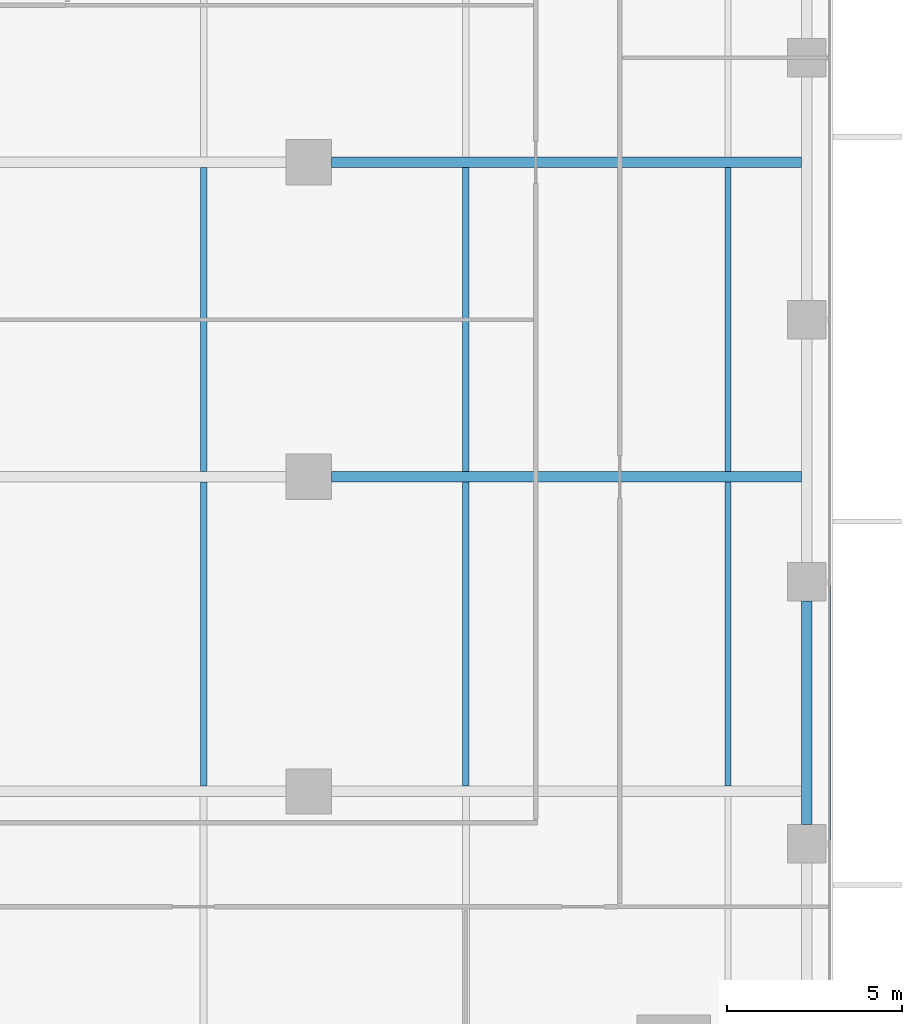
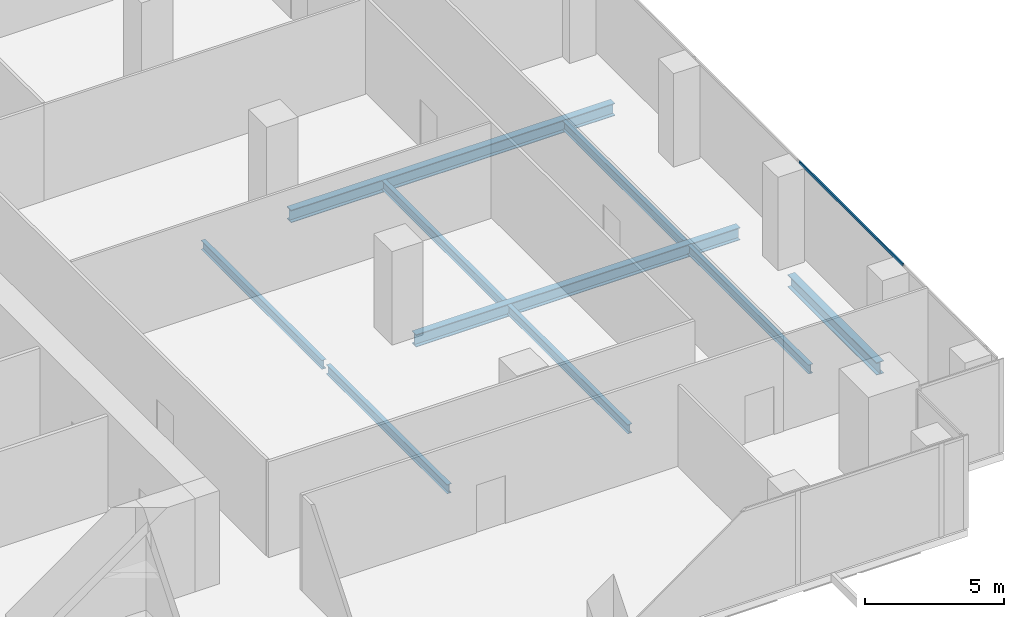
# One storey, part 12 of 34: 9 beams, 1 member, 1 element without a shape of its own.
"""IFC4 building model written with IfcOpenShell, lengths in metres."""

from ifc_helpers import new_model, si_unit, direction, frame, origin, origin_2d, place, context, subcontext, project, spatial, hollow_rectangle, i_section, extrude, source, transform, mapped, material, material_profile, profile_set, type_object, element, aggregate, save


model = new_model("IFC4")

# Units and contexts
model_context = context("Model", 3, precision=1e-05, world=origin(), true_north=direction((0.0, 1.0)))
body_context = subcontext(model_context, "Body", "Model", "MODEL_VIEW")
ifc_project = project(units=[si_unit("LENGTHUNIT", "METRE"), si_unit("AREAUNIT", "SQUARE_METRE"), si_unit("VOLUMEUNIT", "CUBIC_METRE"), si_unit("PLANEANGLEUNIT", "RADIAN"), si_unit("MASSUNIT", "GRAM", prefix="KILO")], contexts=[model_context])

# Site, building, storey
site_placement = place(None, origin())
site = spatial("IfcSite", under=ifc_project, at=site_placement, CompositionType="ELEMENT")
building_placement = place(site_placement, origin())
building = spatial("IfcBuilding", under=site, at=building_placement, Name="Khomas Fold Tower", CompositionType="ELEMENT")
storey_placement = place(building_placement, frame((0.0, 0.0, 123.5)))
storey = spatial("IfcBuildingStorey", under=building, at=storey_placement, Name="L26", CompositionType="ELEMENT", Elevation=123.5)

# Beams
ifc_material_1 = material(Name="Steel S355", Category="steel")
ifc_material_profile_1 = material_profile(ifc_material_1, i_section(OverallWidth=0.179931640625, OverallDepth=0.39990234375, WebThickness=0.008544921875, FlangeThickness=0.013427734375, at=origin_2d()), Name="IPE 400")
ifc_profile_set_1 = profile_set([ifc_material_profile_1], Name="Steel S355")
beam_type_1 = type_object("IfcBeamType", Name="IPE 400 beam JB3", PredefinedType="BEAM", material=ifc_profile_set_1)
shared_shape_1 = source(origin(), body_context, "Body", "SweptSolid", [
    extrude(i_section(OverallWidth=0.179931640625, OverallDepth=0.39990234375, WebThickness=0.008544921875, FlangeThickness=0.013427734375, at=origin_2d()), origin(), (0.0, 0.0, 1.0), 8.7001953125),
])
for number, where, z_axis, x_axis, name in (
    (1, (34.5, 13.64990234375, -0.5), (0.0, 1.0, 0.0), (-1.0, 0.0, 0.0), "JB3"),
    (2, (34.5, 22.64990234375, -0.5), (0.0, 1.0, 0.0), (-1.0, 0.0, 0.0), "JB3"),
    (3, (42.0, 13.64990234375, -0.5), (0.0, 1.0, 0.0), (-1.0, 0.0, 0.0), "JB3"),
    (4, (42.0, 22.64990234375, -0.5), (0.0, 1.0, 0.0), (-1.0, 0.0, 0.0), "JB3"),
    (5, (49.5, 13.64990234375, -0.5), (0.0, 1.0, 0.0), (-1.0, 0.0, 0.0), "JB3"),
    (6, (49.5, 22.64990234375, -0.5), (0.0, 1.0, 0.0), (-1.0, 0.0, 0.0), "JB3"),
):
    element("IfcBeam", number, at=place(storey_placement, frame(where, z_axis=z_axis, x_axis=x_axis)), inside=storey, type_object=beam_type_1, Name=name, PredefinedType="BEAM", context=body_context, shape_type="MappedRepresentation", body=[
        mapped(shared_shape_1, transform((0.0, 0.0, 0.0))),
    ])
ifc_material_2 = material(Name="Steel S355", Category="steel")
ifc_material_profile_2 = material_profile(ifc_material_2, i_section(OverallWidth=0.300048828125, OverallDepth=0.550048828125, WebThickness=0.014892578125, FlangeThickness=0.029052734375, at=origin_2d()), Name="HE 550 B")
ifc_profile_set_2 = profile_set([ifc_material_profile_2], Name="Steel S355")
beam_type_2 = type_object("IfcBeamType", Name="HE 550 B spandrel SB2", PredefinedType="SPANDREL", material=ifc_profile_set_2)
shared_shape_2 = source(origin(), body_context, "Body", "SweptSolid", [
    extrude(i_section(OverallWidth=0.300048828125, OverallDepth=0.550048828125, WebThickness=0.014892578125, FlangeThickness=0.029052734375, at=origin_2d()), origin(), (0.0, 0.0, 1.0), 6.39990234375),
])
beam_placement = place(storey_placement, frame((51.75, 12.550048828125, -0.574951171875), z_axis=(0.0, 1.0, 0.0), x_axis=(-1.0, 0.0, 0.0)))
element("IfcBeam", 7, at=beam_placement, inside=storey, type_object=beam_type_2, Name="SB2", PredefinedType="SPANDREL", context=body_context, shape_type="MappedRepresentation", body=[
    mapped(shared_shape_2, transform((0.0, 0.0, 0.0))),
])
ifc_material_3 = material(Name="Steel S355", Category="steel")
ifc_material_profile_3 = material_profile(ifc_material_3, i_section(OverallWidth=0.300048828125, OverallDepth=0.550048828125, WebThickness=0.014892578125, FlangeThickness=0.029052734375, at=origin_2d()), Name="HE 550 B")
ifc_profile_set_3 = profile_set([ifc_material_profile_3], Name="Steel S355")
beam_type_3 = type_object("IfcBeamType", Name="HE 550 B beam GB4", PredefinedType="BEAM", material=ifc_profile_set_3)
shared_shape_3 = source(origin(), body_context, "Body", "SweptSolid", [
    extrude(i_section(OverallWidth=0.300048828125, OverallDepth=0.550048828125, WebThickness=0.014892578125, FlangeThickness=0.029052734375, at=origin_2d()), origin(), (0.0, 0.0, 1.0), 13.4501953125),
])
for number, where, z_axis, x_axis, name in (
    (8, (38.14990234375, 22.5, -0.574951171875), (1.0, 0.0, 0.0), (0.0, 1.0, 0.0), "GB4"),
    (9, (38.14990234375, 31.5, -0.574951171875), (1.0, 0.0, 0.0), (0.0, 1.0, 0.0), "GB4"),
):
    element("IfcBeam", number, at=place(storey_placement, frame(where, z_axis=z_axis, x_axis=x_axis)), inside=storey, type_object=beam_type_3, Name=name, PredefinedType="BEAM", context=body_context, shape_type="MappedRepresentation", body=[
        mapped(shared_shape_3, transform((0.0, 0.0, 0.0))),
    ])

# Curtain wall, member
ifc_material_4 = material(Name="Aluminium framed double glazing", Category="aluminium")
curtain_wall_type = type_object("IfcCurtainWallType", Name="SK-Unitised clear-glass wall, growing floors CW1", PredefinedType="NOTDEFINED", material=ifc_material_4)
curtain_wall_placement = place(storey_placement, origin())
curtain_wall = element("IfcCurtainWall", 10, at=curtain_wall_placement, inside=storey, type_object=curtain_wall_type, Name="CW1 run L26 03-0", PredefinedType="NOTDEFINED")
ifc_material_5 = material(Name="Aluminium", Category="aluminium")
ifc_material_profile_4 = material_profile(ifc_material_5, hollow_rectangle(XDim=0.06005859375, YDim=0.1201171875, WallThickness=0.00390625, at=origin_2d()), Name="SK-Unitised clear-glass wall, growing floors transom CW1-T")
ifc_profile_set_4 = profile_set([ifc_material_profile_4], Name="Aluminium")
member_type = type_object("IfcMemberType", Name="SK-Unitised clear-glass wall, growing floors transom CW1-T", PredefinedType="USERDEFINED", material=ifc_profile_set_4)
shared_shape_4 = source(origin(), body_context, "Body", "SweptSolid", [
    extrude(hollow_rectangle(XDim=0.06005859375, YDim=0.1201171875, WallThickness=0.00390625, at=origin_2d()), origin(), (0.0, 0.0, 1.0), 7.43994140625),
])
member_placement = place(storey_placement, frame((52.39990234375, 12.030029296875, 4.0400390625), z_axis=(0.0, 1.0, 0.0), x_axis=(-1.0, 0.0, 0.0)))
member = element("IfcMember", 11, at=member_placement, type_object=member_type, Name="CW1 transom 3", ObjectType="TRANSOM", PredefinedType="USERDEFINED", context=body_context, shape_type="MappedRepresentation", body=[
    mapped(shared_shape_4, transform((0.0, 0.0, 0.0))),
])
aggregate(curtain_wall, [member])

save(model, "model.ifc")
